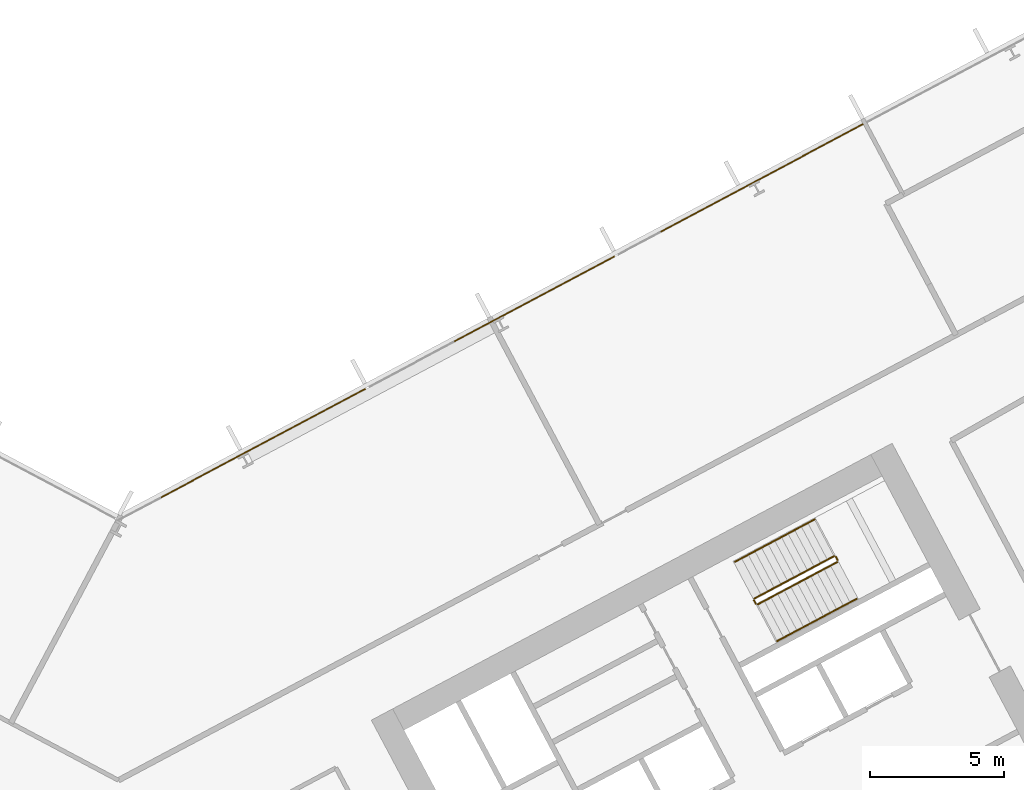
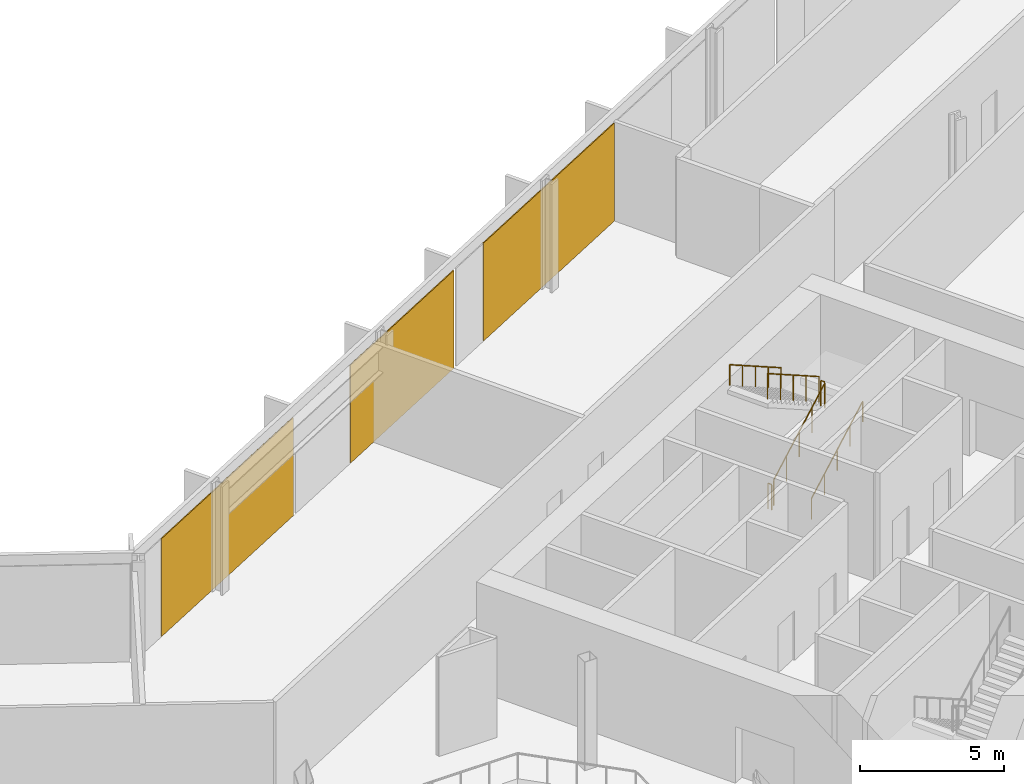
# One storey, part 28 of 30: 6 railings, 3 coverings, 1 element without a shape of its own.
"""IFC4 building model written with IfcOpenShell, lengths in metres."""

import ifcopenshell
import ifcopenshell.guid

model = None  # the IFC model being written
_history = None  # IfcOwnerHistory: only IFC2X3 demands one
_inside = {}  # id of a spatial element -> (the spatial element, [elements in it])
_under = {}  # id of a project, library or spatial element -> (it, [spatial elements below it])
_declared = {}  # id of a project -> (the project, [libraries it declares])
_typed = {}  # id of a type object -> (the type object, [elements of that type])
_made_of = {}  # id of a material, layer set ... -> (it, [elements and type objects made of it])


def new_model(schema):
    """Start an empty IFC model of exactly this schema.

    Asked for "IFC4X3", IfcOpenShell would pick the latest addendum, in which some entities
    have other attributes; the version numbers below select the first issue.
    IFC2X3 requires an IfcOwnerHistory on every rooted entity: one is made here for all.
    """
    global model, _history
    if schema == "IFC4X3":
        model = ifcopenshell.file(schema_version=(4, 3, 0, 0))
    else:
        model = ifcopenshell.file(schema=schema)
    _inside.clear()
    _under.clear()
    _declared.clear()
    _typed.clear()
    _made_of.clear()
    _history = None
    if model.schema == "IFC2X3":
        org = make("IfcOrganization", Name="unknown")
        user = make(
            "IfcPersonAndOrganization",
            ThePerson=make("IfcPerson", FamilyName="unknown"),
            TheOrganization=org,
        )
        app = make(
            "IfcApplication",
            ApplicationDeveloper=org,
            Version="unknown",
            ApplicationFullName="unknown",
            ApplicationIdentifier="unknown",
        )
        _history = make(
            "IfcOwnerHistory",
            OwningUser=user,
            OwningApplication=app,
            ChangeAction="ADDED",
            CreationDate=0,
        )
    return model


def make(cls, **values):
    """One entity of the class cls with the attributes given. An attribute that is None is left unset."""
    return model.create_entity(
        cls, **{name: value for name, value in values.items() if value is not None}
    )


def rooted(cls, **values):
    """An entity with a GlobalId (a new one), such as an element, a storey or a relation."""
    return make(cls, GlobalId=ifcopenshell.guid.new(), OwnerHistory=_history, **values)


def si_unit(unit_type, name, prefix=None):
    """IfcSIUnit, for example si_unit("LENGTHUNIT", "METRE", prefix="MILLI")."""
    return make("IfcSIUnit", UnitType=unit_type, Prefix=prefix, Name=name)


def assignment(units):
    """IfcUnitAssignment: the units of a project."""
    return None if units is None else make("IfcUnitAssignment", Units=units)


def point(xyz):
    """IfcCartesianPoint."""
    return None if xyz is None else make("IfcCartesianPoint", Coordinates=xyz)


def direction(xyz):
    """IfcDirection."""
    return None if xyz is None else make("IfcDirection", DirectionRatios=xyz)


def frame(location, z_axis=None, x_axis=None):
    """IfcAxis2Placement3D, a coordinate frame: its origin and axes. An axis left out is left unset."""
    return make(
        "IfcAxis2Placement3D",
        Location=point(location),
        Axis=direction(z_axis),
        RefDirection=direction(x_axis),
    )


def frame_2d(location, x_axis=None):
    """IfcAxis2Placement2D, a coordinate frame in the plane: its origin and x axis."""
    return make(
        "IfcAxis2Placement2D", Location=point(location), RefDirection=direction(x_axis)
    )


def origin():
    """The frame at (0, 0, 0) with its axes left unset."""
    return frame((0.0, 0.0, 0.0))


def origin_2d():
    """The frame at (0, 0) in the plane with its x axis left unset."""
    return frame_2d((0.0, 0.0))


def place(relative_to, where):
    """IfcLocalPlacement: puts the frame where relative to a parent placement (None: the world)."""
    return make(
        "IfcLocalPlacement", PlacementRelTo=relative_to, RelativePlacement=where
    )


def context(
    kind, dimensions, precision=None, world=None, true_north=None, identifier=None
):
    """IfcGeometricRepresentationContext, for example the 3D "Model" context."""
    return make(
        "IfcGeometricRepresentationContext",
        ContextIdentifier=identifier,
        ContextType=kind,
        CoordinateSpaceDimension=dimensions,
        Precision=precision,
        WorldCoordinateSystem=world,
        TrueNorth=true_north,
    )


def subcontext(parent, identifier, kind, view, scale=None):
    """IfcGeometricRepresentationSubContext, for example "Body" below "Model"."""
    return make(
        "IfcGeometricRepresentationSubContext",
        ContextIdentifier=identifier,
        ContextType=kind,
        ParentContext=parent,
        TargetScale=scale,
        TargetView=view,
    )


def project(units=None, contexts=None):
    """IfcProject with its units and contexts."""
    return rooted(
        "IfcProject",
        Name="project",
        RepresentationContexts=contexts,
        UnitsInContext=assignment(units),
    )


def spatial(cls, under=None, at=None, **own):
    """A site, building, storey or space (cls), placed at a placement, below another one or the project."""
    s = rooted(cls, ObjectPlacement=at, **own)
    if under is not None:
        _under.setdefault(under.id(), (under, []))[1].append(s)
    return s


def polyline(points):
    """IfcPolyline through the points."""
    return make("IfcPolyline", Points=[point(p) for p in points])


def profile(cls, at=None, kind="AREA", **sizes):
    """A parametric profile (cls). Its sizes go by their IFC names, for example OverallWidth=200.0."""
    return make(cls, ProfileType=kind, Position=at, **sizes)


def rectangle(**sizes):
    """IfcRectangleProfileDef."""
    return profile("IfcRectangleProfileDef", **sizes)


def outline(outer, holes=None, kind="AREA"):
    """IfcArbitraryClosedProfileDef: a profile drawn as a closed curve; with holes, ...WithVoids."""
    if holes is None:
        return make("IfcArbitraryClosedProfileDef", ProfileType=kind, OuterCurve=outer)
    return make(
        "IfcArbitraryProfileDefWithVoids",
        ProfileType=kind,
        OuterCurve=outer,
        InnerCurves=holes,
    )


def extrude(swept, where, along, depth):
    """IfcExtrudedAreaSolid: the profile swept, set in the frame where, extruded along a direction by depth."""
    return make(
        "IfcExtrudedAreaSolid",
        SweptArea=swept,
        Position=where,
        ExtrudedDirection=direction(along),
        Depth=depth,
    )


def shape(context_of_items, identifier, shape_type, items):
    """IfcShapeRepresentation: the items that make up one representation, for example the "Body"."""
    return make(
        "IfcShapeRepresentation",
        ContextOfItems=context_of_items,
        RepresentationIdentifier=identifier,
        RepresentationType=shape_type,
        Items=items,
    )


def material(Name=None, Category=None):
    """IfcMaterial."""
    return make("IfcMaterial", Name=Name, Category=Category)


def layer(
    of_material, thickness, ventilated=None, Name=None, Category=None, Priority=None
):
    """IfcMaterialLayer: one layer of a wall or slab, of a material (None: an air gap)."""
    return make(
        "IfcMaterialLayer",
        Material=of_material,
        LayerThickness=thickness,
        IsVentilated=ventilated,
        Name=Name,
        Category=Category,
        Priority=Priority,
    )


def layer_set(layers, Name=None):
    """IfcMaterialLayerSet."""
    return make("IfcMaterialLayerSet", MaterialLayers=layers, LayerSetName=Name)


def made_of(thing, what):
    """Note that an element or type object is made of a material, layer set ...; save() writes the relation."""
    if what is not None:
        _made_of.setdefault(what.id(), (what, []))[1].append(thing)
    return thing


def type_object(cls, material=None, **own):
    """A type object (cls), such as IfcWallType, which elements share."""
    return made_of(rooted(cls, **own), material)


def element(
    cls,
    number,
    at=None,
    inside=None,
    cuts=None,
    type_object=None,
    material=None,
    context=None,
    identifier="Body",
    shape_type=None,
    held_by="IfcProductDefinitionShape",
    body=None,
    shapes=None,
    **own,
):
    """One element of the class cls, such as IfcWall. Its Tag is "e" and its number.

    at: its placement. inside: the storey or other place that contains it. cuts: it is an
    opening in that element (IfcRelVoidsElement). A single representation is given by context,
    identifier, shape_type and body (its items); several are given by shapes. held_by: the class
    of the entity that holds the representations. save() writes the other relations.
    """
    e = rooted(cls, Tag="e%d" % number, ObjectPlacement=at, **own)
    if body is not None:
        shapes = [shape(context, identifier, shape_type, body)]
    if shapes is not None:
        e.Representation = make(held_by, Representations=shapes)
    if inside is not None:
        _inside.setdefault(inside.id(), (inside, []))[1].append(e)
    if cuts is not None:
        rooted(
            "IfcRelVoidsElement", RelatingBuildingElement=cuts, RelatedOpeningElement=e
        )
    if type_object is not None:
        _typed.setdefault(type_object.id(), (type_object, []))[1].append(e)
    return made_of(e, material)


def aggregate(whole, parts):
    """IfcRelAggregates: a whole, such as a stair, and the parts it consists of."""
    return rooted("IfcRelAggregates", RelatingObject=whole, RelatedObjects=parts)


def save(model, path):
    """Write the relations noted so far, then the file.

    IfcRelAggregates (storeys below a building ...), IfcRelContainedInSpatialStructure (elements
    in a storey), IfcRelDefinesByType, IfcRelAssociatesMaterial and IfcRelDeclares: one each for
    every whole, place, type object, material and project.
    """
    for whole, parts in _under.values():
        aggregate(whole, parts)
    for where, things in _inside.values():
        rooted(
            "IfcRelContainedInSpatialStructure",
            RelatedElements=things,
            RelatingStructure=where,
        )
    for kind, things in _typed.values():
        rooted("IfcRelDefinesByType", RelatedObjects=things, RelatingType=kind)
    for what, things in _made_of.values():
        rooted("IfcRelAssociatesMaterial", RelatedObjects=things, RelatingMaterial=what)
    for by, libraries in _declared.values():
        rooted("IfcRelDeclares", RelatingContext=by, RelatedDefinitions=libraries)
    model.write(path)


model = new_model("IFC4")

# Units and contexts
model_context = context("Model", 3, precision=1e-05, world=origin(), true_north=direction((0.0, 1.0)))
body_context = subcontext(model_context, "Body", "Model", "MODEL_VIEW")
ifc_project = project(units=[si_unit("LENGTHUNIT", "METRE"), si_unit("AREAUNIT", "SQUARE_METRE"), si_unit("VOLUMEUNIT", "CUBIC_METRE"), si_unit("PLANEANGLEUNIT", "RADIAN"), si_unit("MASSUNIT", "GRAM", prefix="KILO")], contexts=[model_context])

# Site, building, storey
site_placement = place(None, origin())
site = spatial("IfcSite", under=ifc_project, at=site_placement, CompositionType="ELEMENT")
building_placement = place(site_placement, origin())
building = spatial("IfcBuilding", under=site, at=building_placement, Name="Cormorant Relay Tower", CompositionType="ELEMENT")
storey_placement = place(building_placement, frame((0.0, 0.0, 84.60009765625)))
storey = spatial("IfcBuildingStorey", under=building, at=storey_placement, Name="L16", CompositionType="ELEMENT", Elevation=84.60009765625)

# Curtain wall, coverings
ifc_material_1 = material(Name="Aluminium 6063-T6 anodised bronze", Category="aluminium")
ifc_layer_1 = layer(ifc_material_1, 0.199951171875)
ifc_layer_set_1 = layer_set([ifc_layer_1], Name="CW1 unitised bronze curtain wall with vertical fins")
curtain_wall_type = type_object("IfcCurtainWallType", Name="CW1 unitised bronze curtain wall with vertical fins", PredefinedType="NOTDEFINED", material=ifc_layer_set_1)
curtain_wall_placement = place(storey_placement, origin())
curtain_wall = element("IfcCurtainWall", 1, at=curtain_wall_placement, inside=storey, type_object=curtain_wall_type, Name="CW1 curtain wall 6", PredefinedType="NOTDEFINED")
ifc_material_2 = material(Name="Pale bronze anodised aluminium insulated panel", Category="aluminium")
ifc_layer_2 = layer(ifc_material_2, 0.0400390625)
ifc_layer_set_2 = layer_set([ifc_layer_2], Name="CW1 pale bronze insulated panel 40")
covering_type = type_object("IfcCoveringType", Name="CW1 pale bronze insulated panel 40", PredefinedType="CLADDING", material=ifc_layer_set_2)
covering_1_placement = place(storey_placement, frame((23.996337890625, 36.565673828125, 0.0), z_axis=(0.0, 0.0, 1.0), x_axis=(-0.882947592859, -0.469471562786, 0.0)))
covering_1 = element("IfcCovering", 2, at=covering_1_placement, type_object=covering_type, Name="CW1 panel S05", PredefinedType="CLADDING", context=body_context, shape_type="SweptSolid", body=[
    extrude(rectangle(XDim=8.565185546875, YDim=0.0400390625, at=origin_2d()), origin(), (0.0, 0.0, 1.0), 4.14990234375),
])
covering_2_placement = place(storey_placement, frame((15.506591796875, 32.051513671875, 0.0), z_axis=(0.0, 0.0, 1.0), x_axis=(-0.882947592859, -0.469471562786, 0.0)))
covering_2 = element("IfcCovering", 3, at=covering_2_placement, type_object=covering_type, Name="CW1 panel S07", PredefinedType="CLADDING", context=body_context, shape_type="SweptSolid", body=[
    extrude(rectangle(XDim=6.765380859375, YDim=0.0400390625, at=origin_2d()), origin(), (0.0, 0.0, 1.0), 4.14990234375),
])
covering_3_placement = place(storey_placement, frame((5.394287109375, 26.6748046875, 0.0), z_axis=(0.0, 0.0, 1.0), x_axis=(-0.882947592859, -0.469471562786, 0.0)))
covering_3 = element("IfcCovering", 4, at=covering_3_placement, type_object=covering_type, Name="CW1 panel S09", PredefinedType="CLADDING", context=body_context, shape_type="SweptSolid", body=[
    extrude(rectangle(XDim=8.640380859375, YDim=0.0400390625, at=origin_2d()), origin(), (0.0, 0.0, 1.0), 4.14990234375),
])
aggregate(curtain_wall, [covering_1, covering_2, covering_3])

# Railings
ifc_material_3 = material(Name="Steel ASTM A572 Grade 50 (Fy 345 MPa)", Category="steel")
railing_type_1 = type_object("IfcRailingType", Name="Stair guard 1100", PredefinedType="GUARDRAIL", material=ifc_material_3)
railing_1_placement = place(storey_placement, frame((23.8408203125, 20.6611328125, 0.1767578125)))
element("IfcRailing", 5, at=railing_1_placement, inside=storey, type_object=railing_type_1, Name="L16 B2 stair guard 1", PredefinedType="GUARDRAIL", context=body_context, shape_type="SweptSolid", body=[
    extrude(outline(polyline([(0.022216796875, 0.00927734375), (0.00927734375, 0.022216796875), (-0.00927734375, 0.022216796875), (-0.022216796875, 0.00927734375), (-0.022216796875, -0.00927734375), (-0.00927734375, -0.022216796875), (0.00927734375, -0.022216796875), (0.022216796875, -0.00927734375), (0.022216796875, 0.00927734375)])), frame((0.0, 0.0, 1.076171875), z_axis=(0.746440668329, 0.396869088057, 0.534154711306), x_axis=(-0.46945269911, 0.882957622595, 0.0)), (0.0, 0.0, 1.0), 3.974609375),
    extrude(outline(polyline([(0.019287109375, 0.008056640625), (0.008056640625, 0.019287109375), (-0.008056640625, 0.019287109375), (-0.019287109375, 0.008056640625), (-0.019287109375, -0.008056640625), (-0.008056640625, -0.019287109375), (0.008056640625, -0.019287109375), (0.019287109375, -0.008056640625), (0.019287109375, 0.008056640625)])), origin(), (0.0, 0.0, 1.0), 1.052001953125),
    extrude(outline(polyline([(0.019287109375, 0.008056640625), (0.008056640625, 0.019287109375), (-0.008056640625, 0.019287109375), (-0.019287109375, 0.008056640625), (-0.019287109375, -0.008056640625), (-0.008056640625, -0.019287109375), (0.008056640625, -0.019287109375), (0.019287109375, -0.008056640625), (0.019287109375, 0.008056640625)])), frame((0.74169921875, 0.394287109375, 0.53076171875)), (0.0, 0.0, 1.0), 1.052001953125),
    extrude(outline(polyline([(0.019287109375, 0.008056640625), (0.008056640625, 0.019287109375), (-0.008056640625, 0.019287109375), (-0.019287109375, 0.008056640625), (-0.019287109375, -0.008056640625), (-0.008056640625, -0.019287109375), (0.008056640625, -0.019287109375), (0.019287109375, -0.008056640625), (0.019287109375, 0.008056640625)])), frame((1.4833984375, 0.78857421875, 1.0615234375)), (0.0, 0.0, 1.0), 1.052001953125),
    extrude(outline(polyline([(0.019287109375, 0.008056640625), (0.008056640625, 0.019287109375), (-0.008056640625, 0.019287109375), (-0.019287109375, 0.008056640625), (-0.019287109375, -0.008056640625), (-0.008056640625, -0.019287109375), (0.008056640625, -0.019287109375), (0.019287109375, -0.008056640625), (0.019287109375, 0.008056640625)])), frame((2.22509765625, 1.18310546875, 1.59228515625)), (0.0, 0.0, 1.0), 1.052001953125),
    extrude(outline(polyline([(0.019287109375, 0.008056640625), (0.008056640625, 0.019287109375), (-0.008056640625, 0.019287109375), (-0.019287109375, 0.008056640625), (-0.019287109375, -0.008056640625), (-0.008056640625, -0.019287109375), (0.008056640625, -0.019287109375), (0.019287109375, -0.008056640625), (0.019287109375, 0.008056640625)])), frame((2.966796875, 1.577392578125, 2.123046875)), (0.0, 0.0, 1.0), 1.052001953125),
])
railing_2_placement = place(storey_placement, frame((26.828125, 22.30615234375, 2.2998046875)))
element("IfcRailing", 6, at=railing_2_placement, inside=storey, type_object=railing_type_1, Name="L16 B2 stair guard 2", PredefinedType="GUARDRAIL", context=body_context, shape_type="SweptSolid", body=[
    extrude(outline(polyline([(0.022216796875, 0.00927734375), (0.00927734375, 0.022216796875), (-0.00927734375, 0.022216796875), (-0.022216796875, 0.00927734375), (-0.022216796875, -0.00927734375), (-0.00927734375, -0.022216796875), (0.00927734375, -0.022216796875), (0.022216796875, -0.00927734375), (0.022216796875, 0.00927734375)])), frame((0.0, 0.0, 1.076171875), z_axis=(-0.469234640946, 0.883073525669, 0.0), x_axis=(-0.883073525669, -0.469234640946, 0.0)), (0.0, 0.0, 1.0), 0.14990234375),
    extrude(outline(polyline([(0.019287109375, 0.008056640625), (0.008056640625, 0.019287109375), (-0.008056640625, 0.019287109375), (-0.019287109375, 0.008056640625), (-0.019287109375, -0.008056640625), (-0.008056640625, -0.019287109375), (0.008056640625, -0.019287109375), (0.019287109375, -0.008056640625), (0.019287109375, 0.008056640625)])), origin(), (0.0, 0.0, 1.0), 1.052001953125),
    extrude(outline(polyline([(0.019287109375, 0.008056640625), (0.008056640625, 0.019287109375), (-0.008056640625, 0.019287109375), (-0.019287109375, 0.008056640625), (-0.019287109375, -0.008056640625), (-0.008056640625, -0.019287109375), (0.008056640625, -0.019287109375), (0.019287109375, -0.008056640625), (0.019287109375, 0.008056640625)])), frame((-0.0703125, 0.13232421875, 0.0)), (0.0, 0.0, 1.0), 1.052001953125),
])
railing_3_placement = place(storey_placement, frame((26.690185546875, 22.459228515625, 2.476806640625)))
element("IfcRailing", 7, at=railing_3_placement, inside=storey, type_object=railing_type_1, Name="L16 B2 stair guard 3", PredefinedType="GUARDRAIL", context=body_context, shape_type="SweptSolid", body=[
    extrude(outline(polyline([(0.022216796875, 0.00927734375), (0.00927734375, 0.022216796875), (-0.00927734375, 0.022216796875), (-0.022216796875, 0.00927734375), (-0.022216796875, -0.00927734375), (-0.00927734375, -0.022216796875), (0.00927734375, -0.022216796875), (0.022216796875, -0.00927734375), (0.022216796875, 0.00927734375)])), frame((0.0, 0.0, 1.076171875), z_axis=(-0.746440668329, -0.396869088057, 0.534154711306), x_axis=(0.46945269911, -0.882957622595, 0.0)), (0.0, 0.0, 1.0), 3.974609375),
    extrude(outline(polyline([(0.019287109375, 0.008056640625), (0.008056640625, 0.019287109375), (-0.008056640625, 0.019287109375), (-0.019287109375, 0.008056640625), (-0.019287109375, -0.008056640625), (-0.008056640625, -0.019287109375), (0.008056640625, -0.019287109375), (0.019287109375, -0.008056640625), (0.019287109375, 0.008056640625)])), origin(), (0.0, 0.0, 1.0), 1.052001953125),
    extrude(outline(polyline([(0.019287109375, 0.008056640625), (0.008056640625, 0.019287109375), (-0.008056640625, 0.019287109375), (-0.019287109375, 0.008056640625), (-0.019287109375, -0.008056640625), (-0.008056640625, -0.019287109375), (0.008056640625, -0.019287109375), (0.019287109375, -0.008056640625), (0.019287109375, 0.008056640625)])), frame((-0.74169921875, -0.394287109375, 0.53076171875)), (0.0, 0.0, 1.0), 1.052001953125),
    extrude(outline(polyline([(0.019287109375, 0.008056640625), (0.008056640625, 0.019287109375), (-0.008056640625, 0.019287109375), (-0.019287109375, 0.008056640625), (-0.019287109375, -0.008056640625), (-0.008056640625, -0.019287109375), (0.008056640625, -0.019287109375), (0.019287109375, -0.008056640625), (0.019287109375, 0.008056640625)])), frame((-1.4833984375, -0.78857421875, 1.0615234375)), (0.0, 0.0, 1.0), 1.052001953125),
    extrude(outline(polyline([(0.019287109375, 0.008056640625), (0.008056640625, 0.019287109375), (-0.008056640625, 0.019287109375), (-0.019287109375, 0.008056640625), (-0.019287109375, -0.008056640625), (-0.008056640625, -0.019287109375), (0.008056640625, -0.019287109375), (0.019287109375, -0.008056640625), (0.019287109375, 0.008056640625)])), frame((-2.22509765625, -1.18310546875, 1.59228515625)), (0.0, 0.0, 1.0), 1.052001953125),
    extrude(outline(polyline([(0.019287109375, 0.008056640625), (0.008056640625, 0.019287109375), (-0.008056640625, 0.019287109375), (-0.019287109375, 0.008056640625), (-0.019287109375, -0.008056640625), (-0.008056640625, -0.019287109375), (0.008056640625, -0.019287109375), (0.019287109375, -0.008056640625), (0.019287109375, 0.008056640625)])), frame((-2.966796875, -1.577392578125, 2.123046875)), (0.0, 0.0, 1.0), 1.052001953125),
])
railing_4_placement = place(storey_placement, frame((23.773193359375, 20.681640625, 0.0)))
element("IfcRailing", 8, at=railing_4_placement, inside=storey, type_object=railing_type_1, Name="L16 B2 stair guard 4", PredefinedType="GUARDRAIL", context=body_context, shape_type="SweptSolid", body=[
    extrude(outline(polyline([(0.022216796875, 0.00927734375), (0.00927734375, 0.022216796875), (-0.00927734375, 0.022216796875), (-0.022216796875, 0.00927734375), (-0.022216796875, -0.00927734375), (-0.00927734375, -0.022216796875), (0.00927734375, -0.022216796875), (0.022216796875, -0.00927734375), (0.022216796875, 0.00927734375)])), frame((0.0, 0.0, 1.076171875), z_axis=(-0.46856034887, 0.8834314911, 0.0), x_axis=(-0.8834314911, -0.46856034887, 0.0)), (0.0, 0.0, 1.0), 0.150146484375),
    extrude(outline(polyline([(0.019287109375, 0.008056640625), (0.008056640625, 0.019287109375), (-0.008056640625, 0.019287109375), (-0.019287109375, 0.008056640625), (-0.019287109375, -0.008056640625), (-0.008056640625, -0.019287109375), (0.008056640625, -0.019287109375), (0.019287109375, -0.008056640625), (0.019287109375, 0.008056640625)])), origin(), (0.0, 0.0, 1.0), 1.052001953125),
    extrude(outline(polyline([(0.019287109375, 0.008056640625), (0.008056640625, 0.019287109375), (-0.008056640625, 0.019287109375), (-0.019287109375, 0.008056640625), (-0.019287109375, -0.008056640625), (-0.008056640625, -0.019287109375), (0.008056640625, -0.019287109375), (0.019287109375, -0.008056640625), (0.019287109375, 0.008056640625)])), frame((-0.0703125, 0.132568359375, 0.0)), (0.0, 0.0, 1.0), 1.052001953125),
])
ifc_material_4 = material(Name="Steel ASTM A572 Grade 50 (Fy 345 MPa)", Category="steel")
railing_type_2 = type_object("IfcRailingType", Name="Stair handrail 900", PredefinedType="HANDRAIL", material=ifc_material_4)
railing_5_placement = place(storey_placement, frame((24.568603515625, 19.29248046875, 0.1767578125)))
element("IfcRailing", 9, at=railing_5_placement, inside=storey, type_object=railing_type_2, Name="L16 B2 stair handrail 1", PredefinedType="HANDRAIL", context=body_context, shape_type="SweptSolid", body=[
    extrude(outline(polyline([(0.022216796875, 0.00927734375), (0.00927734375, 0.022216796875), (-0.00927734375, 0.022216796875), (-0.022216796875, 0.00927734375), (-0.022216796875, -0.00927734375), (-0.00927734375, -0.022216796875), (0.00927734375, -0.022216796875), (0.022216796875, -0.00927734375), (0.022216796875, 0.00927734375)])), frame((0.0, 0.0, 0.8759765625), z_axis=(0.746413465702, 0.396887285154, 0.534179203172), x_axis=(-0.469482818608, 0.88294160794, 0.0)), (0.0, 0.0, 1.0), 3.974365234375),
    extrude(outline(polyline([(0.019287109375, 0.008056640625), (0.008056640625, 0.019287109375), (-0.008056640625, 0.019287109375), (-0.019287109375, 0.008056640625), (-0.019287109375, -0.008056640625), (-0.008056640625, -0.019287109375), (0.008056640625, -0.019287109375), (0.019287109375, -0.008056640625), (0.019287109375, 0.008056640625)])), origin(), (0.0, 0.0, 1.0), 0.851806640625),
    extrude(outline(polyline([(0.019287109375, 0.008056640625), (0.008056640625, 0.019287109375), (-0.008056640625, 0.019287109375), (-0.019287109375, 0.008056640625), (-0.019287109375, -0.008056640625), (-0.008056640625, -0.019287109375), (0.008056640625, -0.019287109375), (0.019287109375, -0.008056640625), (0.019287109375, 0.008056640625)])), frame((0.74169921875, 0.394287109375, 0.53076171875)), (0.0, 0.0, 1.0), 0.851806640625),
    extrude(outline(polyline([(0.019287109375, 0.008056640625), (0.008056640625, 0.019287109375), (-0.008056640625, 0.019287109375), (-0.019287109375, 0.008056640625), (-0.019287109375, -0.008056640625), (-0.008056640625, -0.019287109375), (0.008056640625, -0.019287109375), (0.019287109375, -0.008056640625), (0.019287109375, 0.008056640625)])), frame((1.4833984375, 0.78857421875, 1.0615234375)), (0.0, 0.0, 1.0), 0.851806640625),
    extrude(outline(polyline([(0.019287109375, 0.008056640625), (0.008056640625, 0.019287109375), (-0.008056640625, 0.019287109375), (-0.019287109375, 0.008056640625), (-0.019287109375, -0.008056640625), (-0.008056640625, -0.019287109375), (0.008056640625, -0.019287109375), (0.019287109375, -0.008056640625), (0.019287109375, 0.008056640625)])), frame((2.224853515625, 1.18310546875, 1.59228515625)), (0.0, 0.0, 1.0), 0.851806640625),
    extrude(outline(polyline([(0.019287109375, 0.008056640625), (0.008056640625, 0.019287109375), (-0.008056640625, 0.019287109375), (-0.019287109375, 0.008056640625), (-0.019287109375, -0.008056640625), (-0.008056640625, -0.019287109375), (0.008056640625, -0.019287109375), (0.019287109375, -0.008056640625), (0.019287109375, 0.008056640625)])), frame((2.966552734375, 1.577392578125, 2.123046875)), (0.0, 0.0, 1.0), 0.851806640625),
])
railing_6_placement = place(storey_placement, frame((25.96240234375, 23.827880859375, 2.476806640625)))
element("IfcRailing", 10, at=railing_6_placement, inside=storey, type_object=railing_type_2, Name="L16 B2 stair handrail 2", PredefinedType="HANDRAIL", context=body_context, shape_type="SweptSolid", body=[
    extrude(outline(polyline([(0.022216796875, 0.00927734375), (0.00927734375, 0.022216796875), (-0.00927734375, 0.022216796875), (-0.022216796875, 0.00927734375), (-0.022216796875, -0.00927734375), (-0.00927734375, -0.022216796875), (0.00927734375, -0.022216796875), (0.022216796875, -0.00927734375), (0.022216796875, 0.00927734375)])), frame((0.0, 0.0, 0.8759765625), z_axis=(-0.74639526736, -0.39693903528, 0.534166179324), x_axis=(0.469539463624, -0.882911485994, 0.0)), (0.0, 0.0, 1.0), 3.974609375),
    extrude(outline(polyline([(0.019287109375, 0.008056640625), (0.008056640625, 0.019287109375), (-0.008056640625, 0.019287109375), (-0.019287109375, 0.008056640625), (-0.019287109375, -0.008056640625), (-0.008056640625, -0.019287109375), (0.008056640625, -0.019287109375), (0.019287109375, -0.008056640625), (0.019287109375, 0.008056640625)])), origin(), (0.0, 0.0, 1.0), 0.851806640625),
    extrude(outline(polyline([(0.019287109375, 0.008056640625), (0.008056640625, 0.019287109375), (-0.008056640625, 0.019287109375), (-0.019287109375, 0.008056640625), (-0.019287109375, -0.008056640625), (-0.008056640625, -0.019287109375), (0.008056640625, -0.019287109375), (0.019287109375, -0.008056640625), (0.019287109375, 0.008056640625)])), frame((-0.74169921875, -0.39453125, 0.53076171875)), (0.0, 0.0, 1.0), 0.851806640625),
    extrude(outline(polyline([(0.019287109375, 0.008056640625), (0.008056640625, 0.019287109375), (-0.008056640625, 0.019287109375), (-0.019287109375, 0.008056640625), (-0.019287109375, -0.008056640625), (-0.008056640625, -0.019287109375), (0.008056640625, -0.019287109375), (0.019287109375, -0.008056640625), (0.019287109375, 0.008056640625)])), frame((-1.4833984375, -0.788818359375, 1.0615234375)), (0.0, 0.0, 1.0), 0.851806640625),
    extrude(outline(polyline([(0.019287109375, 0.008056640625), (0.008056640625, 0.019287109375), (-0.008056640625, 0.019287109375), (-0.019287109375, 0.008056640625), (-0.019287109375, -0.008056640625), (-0.008056640625, -0.019287109375), (0.008056640625, -0.019287109375), (0.019287109375, -0.008056640625), (0.019287109375, 0.008056640625)])), frame((-2.224853515625, -1.18310546875, 1.59228515625)), (0.0, 0.0, 1.0), 0.851806640625),
    extrude(outline(polyline([(0.019287109375, 0.008056640625), (0.008056640625, 0.019287109375), (-0.008056640625, 0.019287109375), (-0.019287109375, 0.008056640625), (-0.019287109375, -0.008056640625), (-0.008056640625, -0.019287109375), (0.008056640625, -0.019287109375), (0.019287109375, -0.008056640625), (0.019287109375, 0.008056640625)])), frame((-2.966552734375, -1.57763671875, 2.123046875)), (0.0, 0.0, 1.0), 0.851806640625),
])

save(model, "model.ifc")
